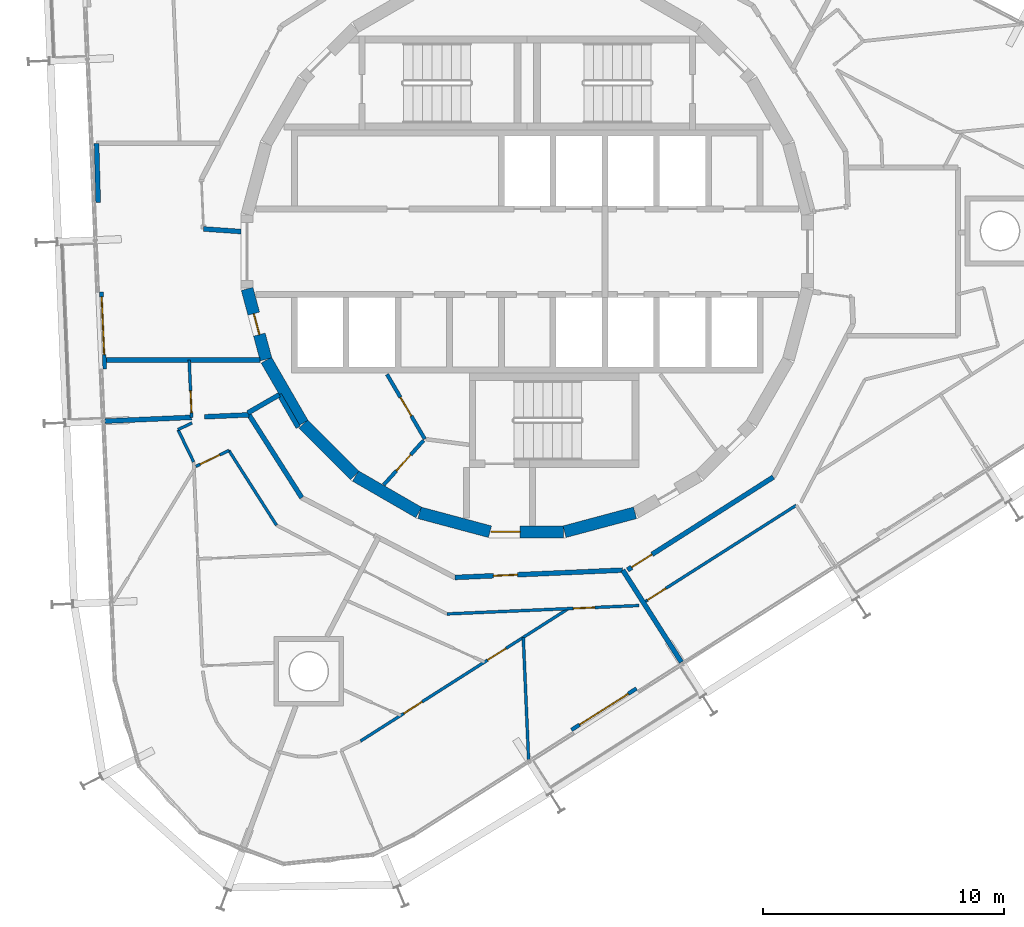
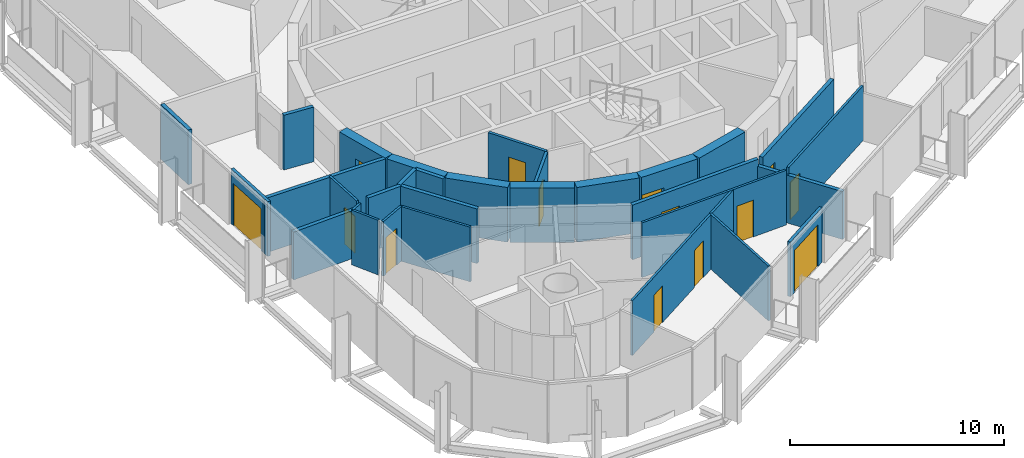
# One storey, part 12 of 18: 31 walls, 14 doors, 14 openings.
"""IFC4 building model written with IfcOpenShell, lengths in metres."""

from ifc_helpers import new_model, si_unit, direction, frame, frame_2d, origin, place, context, subcontext, project, spatial, rectangle, extrude, material, layer, layer_set, type_object, element, fill, save


model = new_model("IFC4")

# Units and contexts
model_context = context("Model", 3, precision=1e-05, world=origin(), true_north=direction((0.0, 1.0)))
body_context = subcontext(model_context, "Body", "Model", "MODEL_VIEW")
ifc_project = project(units=[si_unit("LENGTHUNIT", "METRE"), si_unit("AREAUNIT", "SQUARE_METRE"), si_unit("VOLUMEUNIT", "CUBIC_METRE"), si_unit("PLANEANGLEUNIT", "RADIAN"), si_unit("MASSUNIT", "GRAM", prefix="KILO")], contexts=[model_context])

# Site, building, storey
site_placement = place(None, origin())
site = spatial("IfcSite", under=ifc_project, at=site_placement, CompositionType="ELEMENT")
building_placement = place(site_placement, origin())
building = spatial("IfcBuilding", under=site, at=building_placement, Name="Spindle Arch Residences", CompositionType="ELEMENT")
storey_placement = place(building_placement, frame((0.0, 0.0, 247.699951171875)))
storey = spatial("IfcBuildingStorey", under=building, at=storey_placement, Name="L63", CompositionType="ELEMENT", Elevation=247.699951171875)

# Wall
ifc_material_1 = material(Name="Concrete C50/60", Category="concrete")
ifc_layer_1 = layer(ifc_material_1, 0.5)
ifc_layer_set_1 = layer_set([ifc_layer_1], Name="Core outline wall 500")
wall_type_1 = type_object("IfcWallType", Name="Core outline wall 500", PredefinedType="SHEAR", material=ifc_layer_set_1)
wall_1_placement = place(storey_placement, frame((1.5498046875, -11.642822265625, 0.0), z_axis=(0.0, 0.0, 1.0), x_axis=(0.965948410781, 0.258734743916, 0.0)))
element("IfcWall", 1, at=wall_1_placement, inside=storey, type_object=wall_type_1, Name="Core outline wall 1", PredefinedType="SHEAR", context=body_context, shape_type="SweptSolid", body=[
    extrude(rectangle(XDim=3.03271484375, YDim=0.5, at=frame_2d((1.516357421875, 0.0))), origin(), (0.0, 0.0, 1.0), 3.1201171875),
])

# Wall, opening, door
wall_2_placement = place(storey_placement, frame((-11.642822265625, -1.5498046875, 0.0), z_axis=(0.0, 0.0, 1.0), x_axis=(0.258734743916, -0.965948410781, 0.0)))
wall_2 = element("IfcWall", 2, at=wall_2_placement, inside=storey, type_object=wall_type_1, Name="Core outline wall 19", PredefinedType="SHEAR", context=body_context, shape_type="SweptSolid", body=[
    extrude(rectangle(XDim=3.03271484375, YDim=0.5, at=frame_2d((1.516357421875, 0.0))), origin(), (0.0, 0.0, 1.0), 3.1201171875),
])
opening_1_placement = place(wall_2_placement, frame((1.06640625, 0.0, 0.0)))
opening_1 = element("IfcOpeningElement", 3, at=opening_1_placement, cuts=wall_2, Name="Opening R6C0-WD10", PredefinedType="OPENING", context=body_context, shape_type="SweptSolid", body=[
    extrude(rectangle(XDim=0.89990234375, YDim=2.10009765625, at=frame_2d((0.449951171875, 1.050048828125))), frame((0.0, 0.260009765625, 0.0), z_axis=(0.0, -1.0, 0.0), x_axis=(1.0, 0.0, 0.0)), (0.0, 0.0, 1.0), 0.52001953125),
])
ifc_material_2 = material(Name="Steel, fire-resisting door", Category="steel")
door_type_1 = type_object("IfcDoorType", Name="Service room door 900x2100", OperationType="SINGLE_SWING_LEFT", PredefinedType="DOOR", material=ifc_material_2)
door_1_placement = place(opening_1_placement, origin())
door_1 = element("IfcDoor", 4, at=door_1_placement, inside=storey, type_object=door_type_1, Name="Service room door R6C0-WD10", OperationType="SINGLE_SWING_RIGHT", OverallHeight=2.10009765625, OverallWidth=0.89990234375, PredefinedType="DOOR", context=body_context, shape_type="SweptSolid", body=[
    extrude(rectangle(XDim=0.89990234375, YDim=2.10009765625, at=frame_2d((0.449951171875, 1.050048828125))), frame((0.0, 0.02490234375, 0.0), z_axis=(0.0, -1.0, 0.0), x_axis=(1.0, 0.0, 0.0)), (0.0, 0.0, 1.0), 0.050048828125),
])
fill(opening_1, door_1)

# Walls
wall_3_placement = place(storey_placement, frame((-10.84521484375, -4.510498046875, 0.0), z_axis=(0.0, 0.0, 1.0), x_axis=(0.500087131594, -0.865975092491, 0.0)))
element("IfcWall", 5, at=wall_3_placement, inside=storey, type_object=wall_type_1, Name="Core outline wall 20", PredefinedType="SHEAR", context=body_context, shape_type="SweptSolid", body=[
    extrude(rectangle(XDim=3.03271484375, YDim=0.5, at=frame_2d((1.516357421875, 0.0))), origin(), (0.0, 0.0, 1.0), 3.1201171875),
])
wall_4_placement = place(storey_placement, frame((-9.30810546875, -7.163818359375, 0.0), z_axis=(0.0, 0.0, 1.0), x_axis=(0.707106781187, -0.707106781187, 0.0)))
element("IfcWall", 6, at=wall_4_placement, inside=storey, type_object=wall_type_1, Name="Core outline wall 21", PredefinedType="SHEAR", context=body_context, shape_type="SweptSolid", body=[
    extrude(rectangle(XDim=3.032470703125, YDim=0.5, at=frame_2d((1.51611328125, 0.0))), origin(), (0.0, 0.0, 1.0), 3.1201171875),
])
for number, where, z_axis, x_axis, name in (
    (7, (-7.13671875, -9.32861328125, 0.0), (0.0, 0.0, 1.0), (0.865975092491, -0.500087131594, 0.0), "Core outline wall 22"),
    (8, (-4.479248046875, -10.858154296875, 0.0), (0.0, 0.0, 1.0), (0.965948410781, -0.258734743916, 0.0), "Core outline wall 23"),
):
    element("IfcWall", number, at=place(storey_placement, frame(where, z_axis=z_axis, x_axis=x_axis)), inside=storey, type_object=wall_type_1, Name=name, PredefinedType="SHEAR", context=body_context, shape_type="SweptSolid", body=[
        extrude(rectangle(XDim=3.03271484375, YDim=0.5, at=frame_2d((1.516357421875, 0.0))), origin(), (0.0, 0.0, 1.0), 3.1201171875),
    ])

# Wall, opening, door
wall_5_placement = place(storey_placement, frame((-1.516357421875, -11.647216796875, 0.0), z_axis=(0.0, 0.0, 1.0), x_axis=(1.0, 0.0, 0.0)))
wall_5 = element("IfcWall", 9, at=wall_5_placement, inside=storey, type_object=wall_type_1, Name="Core outline wall 24", PredefinedType="SHEAR", context=body_context, shape_type="SweptSolid", body=[
    extrude(rectangle(XDim=3.03271484375, YDim=0.5, at=frame_2d((1.516357421875, 0.0))), origin(), (0.0, 0.0, 1.0), 3.1201171875),
])
opening_2_placement = place(wall_5_placement, frame((0.016357421875, 0.0, 0.0)))
opening_2 = element("IfcOpeningElement", 10, at=opening_2_placement, cuts=wall_5, Name="Opening R6C0-AD03", PredefinedType="OPENING", context=body_context, shape_type="SweptSolid", body=[
    extrude(rectangle(XDim=1.199951171875, YDim=2.10009765625, at=frame_2d((0.60009765625, 1.050048828125))), frame((0.0, 0.260009765625, 0.0), z_axis=(0.0, -1.0, 0.0), x_axis=(1.0, 0.0, 0.0)), (0.0, 0.0, 1.0), 0.52001953125),
])
ifc_material_3 = material(Name="Steel, fire-resisting door", Category="steel")
door_type_2 = type_object("IfcDoorType", Name="Stair airlock door 1200x2100", OperationType="SINGLE_SWING_LEFT", PredefinedType="DOOR", material=ifc_material_3)
door_2_placement = place(opening_2_placement, origin())
door_2 = element("IfcDoor", 11, at=door_2_placement, inside=storey, type_object=door_type_2, Name="Stair airlock door R6C0-AD03", OperationType="SINGLE_SWING_RIGHT", OverallHeight=2.10009765625, OverallWidth=1.199951171875, PredefinedType="DOOR", context=body_context, shape_type="SweptSolid", body=[
    extrude(rectangle(XDim=1.199951171875, YDim=2.10009765625, at=frame_2d((0.60009765625, 1.050048828125))), frame((0.0, 0.02490234375, 0.0), z_axis=(0.0, -1.0, 0.0), x_axis=(1.0, 0.0, 0.0)), (0.0, 0.0, 1.0), 0.050048828125),
])
fill(opening_2, door_2)

# Walls
ifc_material_4 = material(Name="Calcium silicate block, plastered")
ifc_layer_2 = layer(ifc_material_4, 0.199951171875)
ifc_layer_set_2 = layer_set([ifc_layer_2], Name="Corridor wall 200")
wall_type_2 = type_object("IfcWallType", Name="Corridor wall 200", PredefinedType="STANDARD", material=ifc_layer_set_2)
wall_6_placement = place(storey_placement, frame((-10.303466796875, -5.94873046875, 0.0), z_axis=(0.0, 0.0, 1.0), x_axis=(-0.866043382451, -0.499968858743, 0.0)))
element("IfcWall", 12, at=wall_6_placement, inside=storey, type_object=wall_type_2, Name="Corridor wall R6C0-W016", PredefinedType="STANDARD", context=body_context, shape_type="SweptSolid", body=[
    extrude(rectangle(XDim=1.51513671875, YDim=0.199951171875, at=frame_2d((0.757568359375, 0.0))), origin(), (0.0, 0.0, 1.0), 3.1201171875),
])
wall_7_placement = place(storey_placement, frame((-9.520263671875, -7.30517578125, 0.0), z_axis=(0.0, 0.0, 1.0), x_axis=(-0.500028278809, 0.866009076391, 0.0)))
element("IfcWall", 13, at=wall_7_placement, inside=storey, type_object=wall_type_2, Name="Corridor wall R6C0-W017", PredefinedType="STANDARD", context=body_context, shape_type="SweptSolid", body=[
    extrude(rectangle(XDim=1.56640625, YDim=0.199951171875, at=frame_2d((0.783203125, 0.0))), origin(), (0.0, 0.0, 1.0), 3.1201171875),
])
wall_8_placement = place(storey_placement, frame((-11.565185546875, -6.785888671875, 0.0), z_axis=(0.0, 0.0, 1.0), x_axis=(0.537297327359, -0.843392898958, 0.0)))
element("IfcWall", 14, at=wall_8_placement, inside=storey, type_object=wall_type_2, Name="Corridor wall R6C0-W018", PredefinedType="STANDARD", context=body_context, shape_type="SweptSolid", body=[
    extrude(rectangle(XDim=4.081298828125, YDim=0.199951171875, at=frame_2d((2.04052734375, 0.0))), origin(), (0.0, 0.0, 1.0), 3.1201171875),
])

# Wall, opening, door
wall_9_placement = place(storey_placement, frame((-3.002685546875, -13.5439453125, 0.0), z_axis=(0.0, 0.0, 1.0), x_axis=(0.999048221872, 0.043619380718, 0.0)))
wall_9 = element("IfcWall", 15, at=wall_9_placement, inside=storey, type_object=wall_type_2, Name="Corridor wall R6C0-W020", PredefinedType="STANDARD", context=body_context, shape_type="SweptSolid", body=[
    extrude(rectangle(XDim=6.9794921875, YDim=0.199951171875, at=frame_2d((3.48974609375, 0.0))), origin(), (0.0, 0.0, 1.0), 3.1201171875),
])
opening_3_placement = place(wall_9_placement, frame((1.60009765625, 0.0, 0.0)))
opening_3 = element("IfcOpeningElement", 16, at=opening_3_placement, cuts=wall_9, Name="Opening R6C0-FD05", PredefinedType="OPENING", context=body_context, shape_type="SweptSolid", body=[
    extrude(rectangle(XDim=1.0, YDim=2.10009765625, at=frame_2d((0.5, 1.050048828125))), frame((0.0, 0.10986328125, 0.0), z_axis=(0.0, -1.0, 0.0), x_axis=(1.0, 0.0, 0.0)), (0.0, 0.0, 1.0), 0.219970703125),
])
ifc_material_5 = material(Name="Timber, fire-resisting door set", Category="wood")
door_type_3 = type_object("IfcDoorType", Name="Flat entrance door 1000x2100", OperationType="NOTDEFINED", PredefinedType="DOOR", material=ifc_material_5)
door_3_placement = place(opening_3_placement, origin())
door_3 = element("IfcDoor", 17, at=door_3_placement, inside=storey, type_object=door_type_3, Name="Flat entrance door R6C0-FD05", OperationType="SINGLE_SWING_LEFT", OverallHeight=2.10009765625, OverallWidth=1.0, PredefinedType="DOOR", context=body_context, shape_type="SweptSolid", body=[
    extrude(rectangle(XDim=1.0, YDim=2.10009765625, at=frame_2d((0.5, 1.050048828125))), frame((0.0, 0.02490234375, 0.0), z_axis=(0.0, -1.0, 0.0), x_axis=(1.0, 0.0, 0.0)), (0.0, 0.0, 1.0), 0.050048828125),
])
fill(opening_3, door_3)

wall_10_placement = place(storey_placement, frame((4.171630859375, -13.230712890625, 0.0), z_axis=(0.0, 0.0, 1.0), x_axis=(0.843388394728, 0.537304397561, 0.0)))
wall_10 = element("IfcWall", 18, at=wall_10_placement, inside=storey, type_object=wall_type_2, Name="Corridor wall R6C0-W021", PredefinedType="STANDARD", context=body_context, shape_type="SweptSolid", body=[
    extrude(rectangle(XDim=7.180908203125, YDim=0.199951171875, at=frame_2d((3.59033203125, 0.0))), origin(), (0.0, 0.0, 1.0), 3.1201171875),
])
opening_4_placement = place(wall_10_placement, frame((0.199951171875, 0.0, 0.0)))
opening_4 = element("IfcOpeningElement", 19, at=opening_4_placement, cuts=wall_10, Name="Opening R6C0-FD06", PredefinedType="OPENING", context=body_context, shape_type="SweptSolid", body=[
    extrude(rectangle(XDim=1.0, YDim=2.10009765625, at=frame_2d((0.5, 1.050048828125))), frame((0.0, 0.10986328125, 0.0), z_axis=(0.0, -1.0, 0.0), x_axis=(1.0, 0.0, 0.0)), (0.0, 0.0, 1.0), 0.219970703125),
])
door_4_placement = place(opening_4_placement, origin())
door_4 = element("IfcDoor", 20, at=door_4_placement, inside=storey, type_object=door_type_3, Name="Flat entrance door R6C0-FD06", OperationType="SINGLE_SWING_LEFT", OverallHeight=2.10009765625, OverallWidth=1.0, PredefinedType="DOOR", context=body_context, shape_type="SweptSolid", body=[
    extrude(rectangle(XDim=1.0, YDim=2.10009765625, at=frame_2d((0.5, 1.050048828125))), frame((0.0, 0.02490234375, 0.0), z_axis=(0.0, -1.0, 0.0), x_axis=(1.0, 0.0, 0.0)), (0.0, 0.0, 1.0), 0.050048828125),
])
fill(opening_4, door_4)

ifc_material_6 = material(Name="Plasterboard on steel studs", Category="steel")
ifc_layer_3 = layer(ifc_material_6, 0.1201171875)
ifc_layer_set_3 = layer_set([ifc_layer_3], Name="Flat partition 120")
wall_type_3 = type_object("IfcWallType", Name="Flat partition 120", PredefinedType="PARTITIONING", material=ifc_layer_set_3)
wall_11_placement = place(storey_placement, frame((-13.947021484375, -6.889892578125, 0.0), z_axis=(0.0, 0.0, 1.0), x_axis=(-0.043680814195, 0.999045537737, 0.0)))
wall_11 = element("IfcWall", 21, at=wall_11_placement, inside=storey, type_object=wall_type_3, Name="Flat partition R6C0-W083", PredefinedType="PARTITIONING", context=body_context, shape_type="SweptSolid", body=[
    extrude(rectangle(XDim=2.39208984375, YDim=0.1201171875, at=frame_2d((1.196044921875, 0.0))), origin(), (0.0, 0.0, 1.0), 3.1201171875),
])
opening_5_placement = place(wall_11_placement, frame((0.199951171875, 0.0, 0.0)))
opening_5 = element("IfcOpeningElement", 22, at=opening_5_placement, cuts=wall_11, Name="Opening R6C0-ID14", PredefinedType="OPENING", context=body_context, shape_type="SweptSolid", body=[
    extrude(rectangle(XDim=0.89990234375, YDim=2.10009765625, at=frame_2d((0.449951171875, 1.050048828125))), frame((0.0, 0.070068359375, 0.0), z_axis=(0.0, -1.0, 0.0), x_axis=(1.0, 0.0, 0.0)), (0.0, 0.0, 1.0), 0.14013671875),
])
ifc_material_7 = material(Name="Timber door set", Category="wood")
door_type_4 = type_object("IfcDoorType", Name="Room door 900x2100", OperationType="NOTDEFINED", PredefinedType="DOOR", material=ifc_material_7)
door_5_placement = place(opening_5_placement, origin())
door_5 = element("IfcDoor", 23, at=door_5_placement, inside=storey, type_object=door_type_4, Name="Room door R6C0-ID14", OperationType="SINGLE_SWING_LEFT", OverallHeight=2.10009765625, OverallWidth=0.89990234375, PredefinedType="DOOR", context=body_context, shape_type="SweptSolid", body=[
    extrude(rectangle(XDim=0.89990234375, YDim=2.10009765625, at=frame_2d((0.449951171875, 1.050048828125))), frame((0.0, 0.02490234375, 0.0), z_axis=(0.0, -1.0, 0.0), x_axis=(1.0, 0.0, 0.0)), (0.0, 0.0, 1.0), 0.050048828125),
])
fill(opening_5, door_5)

# Walls
wall_12_placement = place(storey_placement, frame((-13.93701171875, -7.12060546875, 0.0), z_axis=(0.0, 0.0, 1.0), x_axis=(-0.899601864835, -0.436710985418, 0.0)))
element("IfcWall", 24, at=wall_12_placement, inside=storey, type_object=wall_type_3, Name="Flat partition R6C0-W084", PredefinedType="PARTITIONING", context=body_context, shape_type="SweptSolid", body=[
    extrude(rectangle(XDim=0.6435546875, YDim=0.1201171875, at=frame_2d((0.32177734375, 0.0))), origin(), (0.0, 0.0, 1.0), 3.1201171875),
])
wall_13_placement = place(storey_placement, frame((-14.515869140625, -7.401611328125, 0.0), z_axis=(0.0, 0.0, 1.0), x_axis=(0.436676244377, -0.899618729016, 0.0)))
element("IfcWall", 25, at=wall_13_placement, inside=storey, type_object=wall_type_3, Name="Flat partition R6C0-W085", PredefinedType="PARTITIONING", context=body_context, shape_type="SweptSolid", body=[
    extrude(rectangle(XDim=1.487060546875, YDim=0.1201171875, at=frame_2d((0.74365234375, 0.0))), origin(), (0.0, 0.0, 1.0), 3.1201171875),
])

# Wall, opening, door
wall_14_placement = place(storey_placement, frame((-13.7734375, -8.930908203125, 0.0), z_axis=(0.0, 0.0, 1.0), x_axis=(0.899585443678, 0.436744810527, 0.0)))
wall_14 = element("IfcWall", 26, at=wall_14_placement, inside=storey, type_object=wall_type_3, Name="Flat partition R6C0-W086", PredefinedType="PARTITIONING", context=body_context, shape_type="SweptSolid", body=[
    extrude(rectangle(XDim=1.52490234375, YDim=0.1201171875, at=frame_2d((0.762451171875, 0.0))), origin(), (0.0, 0.0, 1.0), 3.1201171875),
])
opening_6_placement = place(wall_14_placement, frame((0.199951171875, 0.0, 0.0)))
opening_6 = element("IfcOpeningElement", 27, at=opening_6_placement, cuts=wall_14, Name="Opening R6C0-ID15", PredefinedType="OPENING", context=body_context, shape_type="SweptSolid", body=[
    extrude(rectangle(XDim=0.89990234375, YDim=2.10009765625, at=frame_2d((0.449951171875, 1.050048828125))), frame((0.0, 0.070068359375, 0.0), z_axis=(0.0, -1.0, 0.0), x_axis=(1.0, 0.0, 0.0)), (0.0, 0.0, 1.0), 0.14013671875),
])
door_6_placement = place(opening_6_placement, origin())
door_6 = element("IfcDoor", 28, at=door_6_placement, inside=storey, type_object=door_type_4, Name="Room door R6C0-ID15", OperationType="SINGLE_SWING_LEFT", OverallHeight=2.10009765625, OverallWidth=0.89990234375, PredefinedType="DOOR", context=body_context, shape_type="SweptSolid", body=[
    extrude(rectangle(XDim=0.89990234375, YDim=2.10009765625, at=frame_2d((0.449951171875, 1.050048828125))), frame((0.0, 0.02490234375, 0.0), z_axis=(0.0, -1.0, 0.0), x_axis=(1.0, 0.0, 0.0)), (0.0, 0.0, 1.0), 0.050048828125),
])
fill(opening_6, door_6)

# Wall
wall_15_placement = place(storey_placement, frame((-12.401611328125, -8.264892578125, 0.0), z_axis=(0.0, 0.0, 1.0), x_axis=(0.537321213777, -0.843377681247, 0.0)))
element("IfcWall", 29, at=wall_15_placement, inside=storey, type_object=wall_type_3, Name="Flat partition R6C0-W087", PredefinedType="PARTITIONING", context=body_context, shape_type="SweptSolid", body=[
    extrude(rectangle(XDim=3.685302734375, YDim=0.1201171875, at=frame_2d((1.8427734375, 0.0))), origin(), (0.0, 0.0, 1.0), 3.1201171875),
])

# Wall, opening, door
wall_16_placement = place(storey_placement, frame((-3.338623046875, -15.06005859375, 0.0), z_axis=(0.0, 0.0, 1.0), x_axis=(0.999047716945, 0.043630943905, 0.0)))
wall_16 = element("IfcWall", 30, at=wall_16_placement, inside=storey, type_object=wall_type_3, Name="Flat partition R6C0-W098", PredefinedType="PARTITIONING", context=body_context, shape_type="SweptSolid", body=[
    extrude(rectangle(XDim=7.98486328125, YDim=0.1201171875, at=frame_2d((3.992431640625, 0.0))), origin(), (0.0, 0.0, 1.0), 3.1201171875),
])
opening_7_placement = place(wall_16_placement, frame((5.25341796875, 0.0, 0.0)))
opening_7 = element("IfcOpeningElement", 31, at=opening_7_placement, cuts=wall_16, Name="Opening R6C0-ID20", PredefinedType="OPENING", context=body_context, shape_type="SweptSolid", body=[
    extrude(rectangle(XDim=0.89990234375, YDim=2.10009765625, at=frame_2d((0.449951171875, 1.050048828125))), frame((0.0, 0.070068359375, 0.0), z_axis=(0.0, -1.0, 0.0), x_axis=(1.0, 0.0, 0.0)), (0.0, 0.0, 1.0), 0.14013671875),
])
door_7_placement = place(opening_7_placement, origin())
door_7 = element("IfcDoor", 32, at=door_7_placement, inside=storey, type_object=door_type_4, Name="Room door R6C0-ID20", OperationType="SINGLE_SWING_LEFT", OverallHeight=2.10009765625, OverallWidth=0.89990234375, PredefinedType="DOOR", context=body_context, shape_type="SweptSolid", body=[
    extrude(rectangle(XDim=0.89990234375, YDim=2.10009765625, at=frame_2d((0.449951171875, 1.050048828125))), frame((0.0, 0.02490234375, 0.0), z_axis=(0.0, -1.0, 0.0), x_axis=(1.0, 0.0, 0.0)), (0.0, 0.0, 1.0), 0.050048828125),
])
fill(opening_7, door_7)

# Wall, openings, doors
wall_17_placement = place(storey_placement, frame((-6.931640625, -20.344970703125, 0.0), z_axis=(0.0, 0.0, 1.0), x_axis=(0.843388627156, 0.537304032726, 0.0)))
wall_17 = element("IfcWall", 33, at=wall_17_placement, inside=storey, type_object=wall_type_3, Name="Flat partition R6C0-W104", PredefinedType="PARTITIONING", context=body_context, shape_type="SweptSolid", body=[
    extrude(rectangle(XDim=10.246337890625, YDim=0.1201171875, at=frame_2d((5.123046875, 0.0))), origin(), (0.0, 0.0, 1.0), 3.1201171875),
])
opening_8_placement = place(wall_17_placement, frame((2.138427734375, 0.0, 0.0)))
opening_8 = element("IfcOpeningElement", 34, at=opening_8_placement, cuts=wall_17, Name="Opening R6C0-ID22", PredefinedType="OPENING", context=body_context, shape_type="SweptSolid", body=[
    extrude(rectangle(XDim=0.89990234375, YDim=2.10009765625, at=frame_2d((0.449951171875, 1.050048828125))), frame((0.0, 0.070068359375, 0.0), z_axis=(0.0, -1.0, 0.0), x_axis=(1.0, 0.0, 0.0)), (0.0, 0.0, 1.0), 0.14013671875),
])
opening_9_placement = place(wall_17_placement, frame((6.268310546875, 0.0, 0.0)))
opening_9 = element("IfcOpeningElement", 35, at=opening_9_placement, cuts=wall_17, Name="Opening R6C0-ID24", PredefinedType="OPENING", context=body_context, shape_type="SweptSolid", body=[
    extrude(rectangle(XDim=0.89990234375, YDim=2.10009765625, at=frame_2d((0.449951171875, 1.050048828125))), frame((0.0, 0.070068359375, 0.0), z_axis=(0.0, -1.0, 0.0), x_axis=(1.0, 0.0, 0.0)), (0.0, 0.0, 1.0), 0.14013671875),
])
door_8_placement = place(opening_8_placement, origin())
door_8 = element("IfcDoor", 36, at=door_8_placement, inside=storey, type_object=door_type_4, Name="Room door R6C0-ID22", OperationType="SINGLE_SWING_LEFT", OverallHeight=2.10009765625, OverallWidth=0.89990234375, PredefinedType="DOOR", context=body_context, shape_type="SweptSolid", body=[
    extrude(rectangle(XDim=0.89990234375, YDim=2.10009765625, at=frame_2d((0.449951171875, 1.050048828125))), frame((0.0, 0.02490234375, 0.0), z_axis=(0.0, -1.0, 0.0), x_axis=(1.0, 0.0, 0.0)), (0.0, 0.0, 1.0), 0.050048828125),
])
fill(opening_8, door_8)
door_9_placement = place(opening_9_placement, origin())
door_9 = element("IfcDoor", 37, at=door_9_placement, inside=storey, type_object=door_type_4, Name="Room door R6C0-ID24", OperationType="SINGLE_SWING_RIGHT", OverallHeight=2.10009765625, OverallWidth=0.89990234375, PredefinedType="DOOR", context=body_context, shape_type="SweptSolid", body=[
    extrude(rectangle(XDim=0.89990234375, YDim=2.10009765625, at=frame_2d((0.449951171875, 1.050048828125))), frame((0.0, 0.02490234375, 0.0), z_axis=(0.0, -1.0, 0.0), x_axis=(1.0, 0.0, 0.0)), (0.0, 0.0, 1.0), 0.050048828125),
])
fill(opening_9, door_9)

# Wall
wall_18_placement = place(storey_placement, frame((0.05615234375, -21.110107421875, 0.0), z_axis=(0.0, 0.0, 1.0), x_axis=(-0.043583193193, 0.999049801197, 0.0)))
element("IfcWall", 38, at=wall_18_placement, inside=storey, type_object=wall_type_3, Name="Flat partition R6C0-W107", PredefinedType="PARTITIONING", context=body_context, shape_type="SweptSolid", body=[
    extrude(rectangle(XDim=5.080810546875, YDim=0.1201171875, at=frame_2d((2.54052734375, 0.0))), origin(), (0.0, 0.0, 1.0), 3.1201171875),
])

# Wall, opening, door
wall_19_placement = place(storey_placement, frame((4.830322265625, -14.589599609375, 0.0), z_axis=(0.0, 0.0, 1.0), x_axis=(0.843393042763, 0.537297101629, 0.0)))
wall_19 = element("IfcWall", 39, at=wall_19_placement, inside=storey, type_object=wall_type_3, Name="Flat partition R6C0-W108", PredefinedType="PARTITIONING", context=body_context, shape_type="SweptSolid", body=[
    extrude(rectangle(XDim=7.530029296875, YDim=0.1201171875, at=frame_2d((3.76513671875, 0.0))), origin(), (0.0, 0.0, 1.0), 3.1201171875),
])
opening_10_placement = place(wall_19_placement, frame((0.199951171875, 0.0, 0.0)))
opening_10 = element("IfcOpeningElement", 40, at=opening_10_placement, cuts=wall_19, Name="Opening R6C0-ID25", PredefinedType="OPENING", context=body_context, shape_type="SweptSolid", body=[
    extrude(rectangle(XDim=0.89990234375, YDim=2.10009765625, at=frame_2d((0.449951171875, 1.050048828125))), frame((0.0, 0.070068359375, 0.0), z_axis=(0.0, -1.0, 0.0), x_axis=(1.0, 0.0, 0.0)), (0.0, 0.0, 1.0), 0.14013671875),
])
door_10_placement = place(opening_10_placement, origin())
door_10 = element("IfcDoor", 41, at=door_10_placement, inside=storey, type_object=door_type_4, Name="Room door R6C0-ID25", OperationType="SINGLE_SWING_LEFT", OverallHeight=2.10009765625, OverallWidth=0.89990234375, PredefinedType="DOOR", context=body_context, shape_type="SweptSolid", body=[
    extrude(rectangle(XDim=0.89990234375, YDim=2.10009765625, at=frame_2d((0.449951171875, 1.050048828125))), frame((0.0, 0.02490234375, 0.0), z_axis=(0.0, -1.0, 0.0), x_axis=(1.0, 0.0, 0.0)), (0.0, 0.0, 1.0), 0.050048828125),
])
fill(opening_10, door_10)

# Walls
ifc_material_8 = material(Name="Calcium silicate block, plastered")
ifc_layer_4 = layer(ifc_material_8, 0.199951171875)
ifc_layer_set_4 = layer_set([ifc_layer_4], Name="Flat party wall 200")
wall_type_4 = type_object("IfcWallType", Name="Flat party wall 200", PredefinedType="STANDARD", material=ifc_layer_set_4)
wall_20_placement = place(storey_placement, frame((-13.414306640625, -6.86669921875, 0.0), z_axis=(0.0, 0.0, 1.0), x_axis=(0.999046427216, 0.043660465726, 0.0)))
element("IfcWall", 42, at=wall_20_placement, inside=storey, type_object=wall_type_4, Name="Flat party wall R6C0-W036", PredefinedType="STANDARD", context=body_context, shape_type="SweptSolid", body=[
    extrude(rectangle(XDim=1.850830078125, YDim=0.199951171875, at=frame_2d((0.92529296875, 0.0))), origin(), (0.0, 0.0, 1.0), 3.1201171875),
])
ifc_material_9 = material(Name="Calcium silicate block, plastered")
ifc_layer_5 = layer(ifc_material_9, 0.199951171875)
ifc_layer_set_5 = layer_set([ifc_layer_5], Name="Flat party wall 200 under beam 2730")
wall_type_5 = type_object("IfcWallType", Name="Flat party wall 200 under beam 2730", PredefinedType="STANDARD", material=ifc_layer_set_5)
wall_21_placement = place(storey_placement, frame((-17.543701171875, -7.047119140625, 0.0), z_axis=(0.0, 0.0, 1.0), x_axis=(0.999045894436, 0.043672655174, 0.0)))
element("IfcWall", 43, at=wall_21_placement, inside=storey, type_object=wall_type_5, Name="Flat party wall R6C0-W035", PredefinedType="STANDARD", context=body_context, shape_type="SweptSolid", body=[
    extrude(rectangle(XDim=3.60009765625, YDim=0.199951171875, at=frame_2d((1.800048828125, 0.0))), origin(), (0.0, 0.0, 1.0), 2.72998046875),
])
wall_22_placement = place(storey_placement, frame((6.406982421875, -17.064208984375, 0.0), z_axis=(0.0, 0.0, 1.0), x_axis=(-0.537324777979, 0.843375410461, 0.0)))
element("IfcWall", 44, at=wall_22_placement, inside=storey, type_object=wall_type_5, Name="Flat party wall R6C0-W041", PredefinedType="STANDARD", context=body_context, shape_type="SweptSolid", body=[
    extrude(rectangle(XDim=4.534912109375, YDim=0.199951171875, at=frame_2d((2.267578125, 0.0))), origin(), (0.0, 0.0, 1.0), 2.72998046875),
])

# Wall, opening, door
ifc_material_10 = material(Name="Non-combustible mineral wool insulated aluminium faced external wall (K0)", Category="aluminium")
ifc_layer_6 = layer(ifc_material_10, 0.159912109375)
ifc_layer_set_6 = layer_set([ifc_layer_6], Name="Insulated external wall panel 160")
wall_type_6 = type_object("IfcWallType", Name="Insulated external wall panel 160", PredefinedType="STANDARD", material=ifc_layer_set_6)
wall_23_placement = place(storey_placement, frame((-17.69775390625, -1.68359375, 0.0), z_axis=(0.0, 0.0, 1.0), x_axis=(0.043639181999, -0.999047357133, 0.0)))
wall_23 = element("IfcWall", 45, at=wall_23_placement, inside=storey, type_object=wall_type_6, Name="External wall L63 bay 15", PredefinedType="STANDARD", context=body_context, shape_type="SweptSolid", body=[
    extrude(rectangle(XDim=3.199951171875, YDim=0.159912109375, at=frame_2d((1.60009765625, 0.0))), origin(), (0.0, 0.0, 1.0), 3.1201171875),
])
opening_11_placement = place(wall_23_placement, frame((0.199951171875, 0.0, 0.0)))
opening_11 = element("IfcOpeningElement", 46, at=opening_11_placement, cuts=wall_23, Name="Opening BD15", PredefinedType="OPENING", context=body_context, shape_type="SweptSolid", body=[
    extrude(rectangle(XDim=2.39990234375, YDim=2.39990234375, at=frame_2d((1.199951171875, 1.199951171875))), frame((0.0, 0.08984375, 0.0), z_axis=(0.0, -1.0, 0.0), x_axis=(1.0, 0.0, 0.0)), (0.0, 0.0, 1.0), 0.179931640625),
])
ifc_material_11 = material(Name="Bronze aluminium frame, tinted double glazing", Category="aluminium")
door_type_5 = type_object("IfcDoorType", Name="Sliding glazed balcony door 2400x2400", OperationType="DOUBLE_DOOR_SLIDING", PredefinedType="DOOR", material=ifc_material_11)
door_11_placement = place(opening_11_placement, origin())
door_11 = element("IfcDoor", 47, at=door_11_placement, inside=storey, type_object=door_type_5, Name="Balcony door BD15", OperationType="DOUBLE_DOOR_SLIDING", OverallHeight=2.39990234375, OverallWidth=2.39990234375, PredefinedType="DOOR", context=body_context, shape_type="SweptSolid", body=[
    extrude(rectangle(XDim=2.39990234375, YDim=2.39990234375, at=frame_2d((1.199951171875, 1.199951171875))), frame((0.0, 0.02490234375, 0.0), z_axis=(0.0, -1.0, 0.0), x_axis=(1.0, 0.0, 0.0)), (0.0, 0.0, 1.0), 0.050048828125),
])
fill(opening_11, door_11)

wall_24_placement = place(storey_placement, frame((1.839111328125, -19.87939453125, 0.0), z_axis=(0.0, 0.0, 1.0), x_axis=(0.843419508298, 0.53725555653, 0.0)))
wall_24 = element("IfcWall", 48, at=wall_24_placement, inside=storey, type_object=wall_type_6, Name="External wall L63 bay 21", PredefinedType="STANDARD", context=body_context, shape_type="SweptSolid", body=[
    extrude(rectangle(XDim=3.199951171875, YDim=0.159912109375, at=frame_2d((1.60009765625, 0.0))), origin(), (0.0, 0.0, 1.0), 3.1201171875),
])
opening_12_placement = place(wall_24_placement, frame((0.39990234375, 0.0, 0.0)))
opening_12 = element("IfcOpeningElement", 49, at=opening_12_placement, cuts=wall_24, Name="Opening BD21", PredefinedType="OPENING", context=body_context, shape_type="SweptSolid", body=[
    extrude(rectangle(XDim=2.39990234375, YDim=2.39990234375, at=frame_2d((1.199951171875, 1.199951171875))), frame((0.0, 0.08984375, 0.0), z_axis=(0.0, -1.0, 0.0), x_axis=(1.0, 0.0, 0.0)), (0.0, 0.0, 1.0), 0.179931640625),
])
door_12_placement = place(opening_12_placement, origin())
door_12 = element("IfcDoor", 50, at=door_12_placement, inside=storey, type_object=door_type_5, Name="Balcony door BD21", OperationType="DOUBLE_DOOR_SLIDING", OverallHeight=2.39990234375, OverallWidth=2.39990234375, PredefinedType="DOOR", context=body_context, shape_type="SweptSolid", body=[
    extrude(rectangle(XDim=2.39990234375, YDim=2.39990234375, at=frame_2d((1.199951171875, 1.199951171875))), frame((0.0, 0.02490234375, 0.0), z_axis=(0.0, -1.0, 0.0), x_axis=(1.0, 0.0, 0.0)), (0.0, 0.0, 1.0), 0.050048828125),
])
fill(opening_12, door_12)

# Walls
ifc_material_12 = material(Name="Calcium silicate block, plastered")
ifc_layer_7 = layer(ifc_material_12, 0.199951171875)
ifc_layer_set_7 = layer_set([ifc_layer_7], Name="Lift lobby bay wall 200")
wall_type_7 = type_object("IfcWallType", Name="Lift lobby bay wall 200", PredefinedType="STANDARD", material=ifc_layer_set_7)
wall_25_placement = place(storey_placement, frame((-13.453857421875, 0.94091796875, 0.0), z_axis=(0.0, 0.0, 1.0), x_axis=(0.99755155062, -0.069934997354, 0.0)))
element("IfcWall", 51, at=wall_25_placement, inside=storey, type_object=wall_type_7, Name="Lift lobby bay wall R6C0-W009", PredefinedType="STANDARD", context=body_context, shape_type="SweptSolid", body=[
    extrude(rectangle(XDim=1.560546875, YDim=0.199951171875, at=frame_2d((0.7802734375, 0.0))), origin(), (0.0, 0.0, 1.0), 3.1201171875),
])
wall_26_placement = place(storey_placement, frame((-17.89990234375, 4.5, 0.0), z_axis=(0.0, 0.0, 1.0), x_axis=(0.027204178319, -0.999629897853, 0.0)))
element("IfcWall", 52, at=wall_26_placement, inside=storey, type_object=wall_type_7, Name="Lift lobby bay wall R6C0-W023", PredefinedType="STANDARD", context=body_context, shape_type="SweptSolid", body=[
    extrude(rectangle(XDim=2.468017578125, YDim=0.199951171875, at=frame_2d((1.23388671875, 0.0))), origin(), (0.0, 0.0, 1.0), 3.1201171875),
])
wall_27_placement = place(storey_placement, frame((-17.65478515625, -4.5, 0.0), z_axis=(0.0, 0.0, 1.0), x_axis=(1.0, 0.0, 0.0)))
element("IfcWall", 53, at=wall_27_placement, inside=storey, type_object=wall_type_7, Name="Lift lobby bay wall R6C0-W024", PredefinedType="STANDARD", context=body_context, shape_type="SweptSolid", body=[
    extrude(rectangle(XDim=6.54345703125, YDim=0.199951171875, at=frame_2d((3.271728515625, 0.0))), origin(), (0.0, 0.0, 1.0), 3.1201171875),
])

# Wall, opening, door
ifc_material_13 = material(Name="Concrete C25/30", Category="concrete")
ifc_layer_8 = layer(ifc_material_13, 0.14990234375)
ifc_layer_set_8 = layer_set([ifc_layer_8], Name="Service room partition 150")
wall_type_8 = type_object("IfcWallType", Name="Service room partition 150", PredefinedType="PARTITIONING", material=ifc_layer_set_8)
wall_28_placement = place(storey_placement, frame((-5.8291015625, -5.101806640625, 0.0), z_axis=(0.0, 0.0, 1.0), x_axis=(0.504480008384, -0.863423373057, 0.0)))
wall_28 = element("IfcWall", 54, at=wall_28_placement, inside=storey, type_object=wall_type_8, Name="Core service room partition", PredefinedType="PARTITIONING", context=body_context, shape_type="SweptSolid", body=[
    extrude(rectangle(XDim=3.115234375, YDim=0.14990234375, at=frame_2d((1.5576171875, 0.0))), origin(), (0.0, 0.0, 1.0), 3.1201171875),
])
opening_13_placement = place(wall_28_placement, frame((1.107421875, 0.0, 0.0)))
opening_13 = element("IfcOpeningElement", 55, at=opening_13_placement, cuts=wall_28, Name="Opening R6C0-WD07", PredefinedType="OPENING", context=body_context, shape_type="SweptSolid", body=[
    extrude(rectangle(XDim=0.89990234375, YDim=2.10009765625, at=frame_2d((0.449951171875, 1.050048828125))), frame((0.0, 0.0849609375, 0.0), z_axis=(0.0, -1.0, 0.0), x_axis=(1.0, 0.0, 0.0)), (0.0, 0.0, 1.0), 0.169921875),
])
door_13_placement = place(opening_13_placement, origin())
door_13 = element("IfcDoor", 56, at=door_13_placement, inside=storey, type_object=door_type_1, Name="Service room door R6C0-WD07", OperationType="SINGLE_SWING_LEFT", OverallHeight=2.10009765625, OverallWidth=0.89990234375, PredefinedType="DOOR", context=body_context, shape_type="SweptSolid", body=[
    extrude(rectangle(XDim=0.89990234375, YDim=2.10009765625, at=frame_2d((0.449951171875, 1.050048828125))), frame((0.0, 0.02490234375, 0.0), z_axis=(0.0, -1.0, 0.0), x_axis=(1.0, 0.0, 0.0)), (0.0, 0.0, 1.0), 0.050048828125),
])
fill(opening_13, door_13)

wall_29_placement = place(storey_placement, frame((-4.310791015625, -7.85107421875, 0.0), z_axis=(0.0, 0.0, 1.0), x_axis=(-0.667869133096, -0.744278725383, 0.0)))
wall_29 = element("IfcWall", 57, at=wall_29_placement, inside=storey, type_object=wall_type_8, Name="Core service room partition", PredefinedType="PARTITIONING", context=body_context, shape_type="SweptSolid", body=[
    extrude(rectangle(XDim=2.476318359375, YDim=0.14990234375, at=frame_2d((1.23828125, 0.0))), origin(), (0.0, 0.0, 1.0), 3.1201171875),
])
opening_14_placement = place(wall_29_placement, frame((0.7880859375, 0.0, 0.0)))
opening_14 = element("IfcOpeningElement", 58, at=opening_14_placement, cuts=wall_29, Name="Opening R6C0-WD06", PredefinedType="OPENING", context=body_context, shape_type="SweptSolid", body=[
    extrude(rectangle(XDim=0.89990234375, YDim=2.10009765625, at=frame_2d((0.449951171875, 1.050048828125))), frame((0.0, 0.0849609375, 0.0), z_axis=(0.0, -1.0, 0.0), x_axis=(1.0, 0.0, 0.0)), (0.0, 0.0, 1.0), 0.169921875),
])
door_14_placement = place(opening_14_placement, origin())
door_14 = element("IfcDoor", 59, at=door_14_placement, inside=storey, type_object=door_type_1, Name="Service room door R6C0-WD06", OperationType="SINGLE_SWING_RIGHT", OverallHeight=2.10009765625, OverallWidth=0.89990234375, PredefinedType="DOOR", context=body_context, shape_type="SweptSolid", body=[
    extrude(rectangle(XDim=0.89990234375, YDim=2.10009765625, at=frame_2d((0.449951171875, 1.050048828125))), frame((0.0, 0.02490234375, 0.0), z_axis=(0.0, -1.0, 0.0), x_axis=(1.0, 0.0, 0.0)), (0.0, 0.0, 1.0), 0.050048828125),
])
fill(opening_14, door_14)

save(model, "model.ifc")
